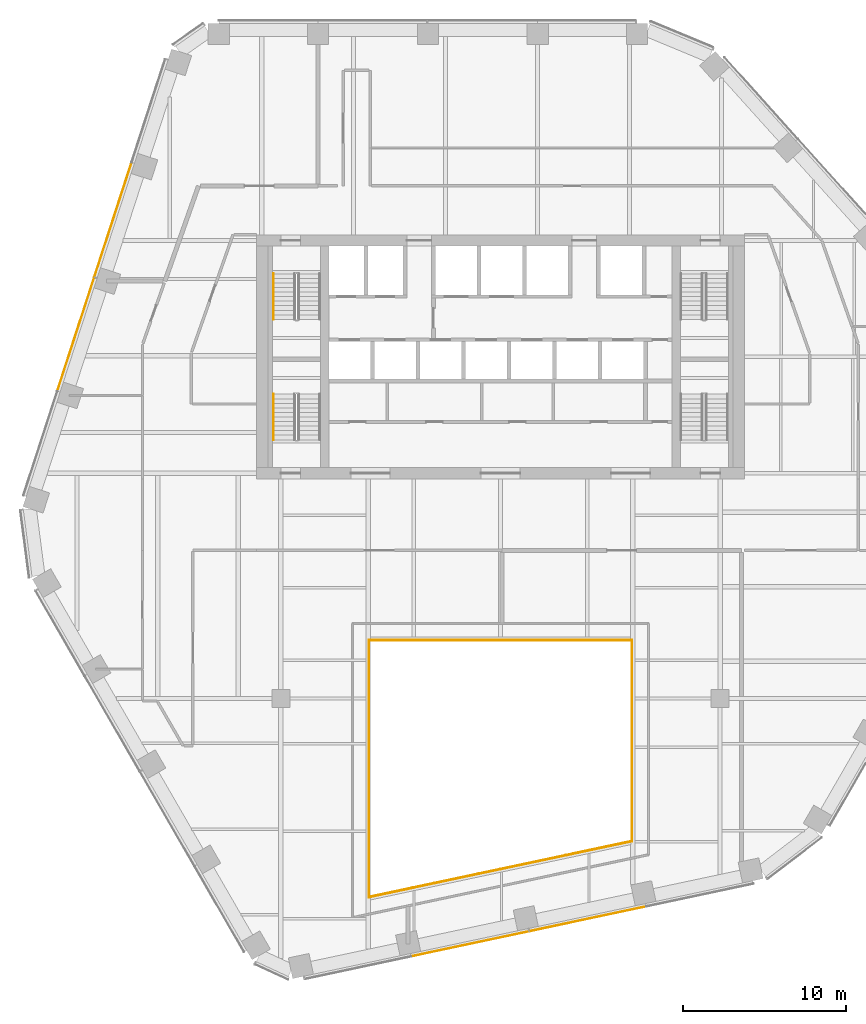
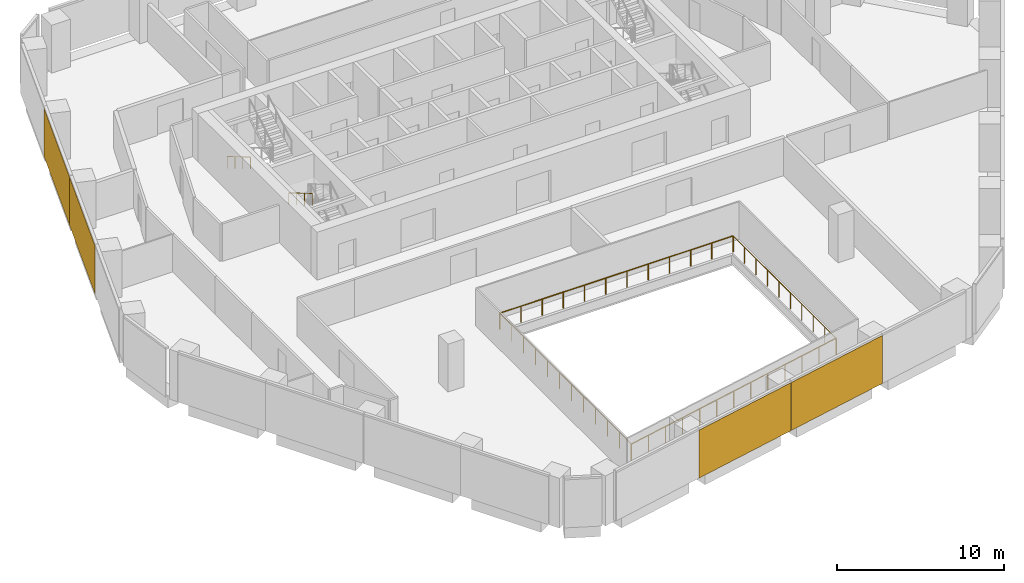
# One storey, part 14 of 16: 6 railings, 4 coverings, 2 elements without a shape of their own.
"""IFC4 building model written with IfcOpenShell, lengths in metres."""

from ifc_helpers import new_model, si_unit, direction, frame, origin, origin_2d, place, context, subcontext, project, spatial, rectangle, circle, extrude, material, layer, layer_set, type_object, element, aggregate, save


model = new_model("IFC4")

# Units and contexts
model_context = context("Model", 3, precision=1e-05, world=origin(), true_north=direction((0.0, 1.0)))
body_context = subcontext(model_context, "Body", "Model", "MODEL_VIEW")
ifc_project = project(units=[si_unit("LENGTHUNIT", "METRE"), si_unit("AREAUNIT", "SQUARE_METRE"), si_unit("VOLUMEUNIT", "CUBIC_METRE"), si_unit("PLANEANGLEUNIT", "RADIAN"), si_unit("MASSUNIT", "GRAM", prefix="KILO")], contexts=[model_context])

# Site, building, storey
site_placement = place(None, origin())
site = spatial("IfcSite", under=ifc_project, at=site_placement, CompositionType="ELEMENT")
building_placement = place(site_placement, origin())
building = spatial("IfcBuilding", under=site, at=building_placement, Name="Isthmus Gate Tower", CompositionType="ELEMENT")
storey_placement = place(building_placement, frame((0.0, 0.0, 185.39990234375)))
storey = spatial("IfcBuildingStorey", under=building, at=storey_placement, Name="L46", CompositionType="ELEMENT", Elevation=185.39990234375)

# Railings
ifc_material_1 = material(Name="Laminated toughened glass balustrade with steel rail", Category="steel")
railing_type_1 = type_object("IfcRailingType", Name="ATRIUM GUARD GLASS BALUSTRADE 1200", PredefinedType="GUARDRAIL", material=ifc_material_1)
railing_1_placement = place(storey_placement, frame((-8.080078125, -25.7099609375, 0.0)))
element("IfcRailing", 1, at=railing_1_placement, inside=storey, type_object=railing_type_1, Name="L46 atrium guard", PredefinedType="GUARDRAIL", context=body_context, shape_type="SweptSolid", body=[
    extrude(circle(Radius=0.02490234375, at=origin_2d()), frame((0.0, 0.0, 1.1748046875), z_axis=(0.0, 1.0, 0.0), x_axis=(-1.0, 0.0, 0.0)), (0.0, 0.0, 1.0), 15.7900390625),
    extrude(circle(Radius=0.02490234375, at=origin_2d()), origin(), (0.0, 0.0, 1.0), 1.14990234375),
    extrude(circle(Radius=0.02490234375, at=origin_2d()), frame((0.0, 1.435546875, 0.0)), (0.0, 0.0, 1.0), 1.14990234375),
    extrude(circle(Radius=0.02490234375, at=origin_2d()), frame((0.0, 2.870849609375, 0.0)), (0.0, 0.0, 1.0), 1.14990234375),
    extrude(circle(Radius=0.02490234375, at=origin_2d()), frame((0.0, 4.306396484375, 0.0)), (0.0, 0.0, 1.0), 1.14990234375),
    extrude(circle(Radius=0.02490234375, at=origin_2d()), frame((0.0, 5.741943359375, 0.0)), (0.0, 0.0, 1.0), 1.14990234375),
    extrude(circle(Radius=0.02490234375, at=origin_2d()), frame((0.0, 7.17724609375, 0.0)), (0.0, 0.0, 1.0), 1.14990234375),
    extrude(circle(Radius=0.02490234375, at=origin_2d()), frame((0.0, 8.61279296875, 0.0)), (0.0, 0.0, 1.0), 1.14990234375),
    extrude(circle(Radius=0.02490234375, at=origin_2d()), frame((0.0, 10.048095703125, 0.0)), (0.0, 0.0, 1.0), 1.14990234375),
    extrude(circle(Radius=0.02490234375, at=origin_2d()), frame((0.0, 11.483642578125, 0.0)), (0.0, 0.0, 1.0), 1.14990234375),
    extrude(circle(Radius=0.02490234375, at=origin_2d()), frame((0.0, 12.919189453125, 0.0)), (0.0, 0.0, 1.0), 1.14990234375),
    extrude(circle(Radius=0.02490234375, at=origin_2d()), frame((0.0, 14.3544921875, 0.0)), (0.0, 0.0, 1.0), 1.14990234375),
    extrude(circle(Radius=0.02490234375, at=origin_2d()), frame((0.0, 15.7900390625, 0.0)), (0.0, 0.0, 1.0), 1.14990234375),
])
railing_2_placement = place(storey_placement, frame((-8.080078125, -9.919921875, 0.0)))
element("IfcRailing", 2, at=railing_2_placement, inside=storey, type_object=railing_type_1, Name="L46 atrium guard", PredefinedType="GUARDRAIL", context=body_context, shape_type="SweptSolid", body=[
    extrude(circle(Radius=0.02490234375, at=origin_2d()), frame((0.0, 0.0, 1.1748046875), z_axis=(1.0, 0.0, 0.0), x_axis=(0.0, 1.0, 0.0)), (0.0, 0.0, 1.0), 16.16015625),
    extrude(circle(Radius=0.02490234375, at=origin_2d()), origin(), (0.0, 0.0, 1.0), 1.14990234375),
    extrude(circle(Radius=0.02490234375, at=origin_2d()), frame((1.468994140625, 0.0, 0.0)), (0.0, 0.0, 1.0), 1.14990234375),
    extrude(circle(Radius=0.02490234375, at=origin_2d()), frame((2.938232421875, 0.0, 0.0)), (0.0, 0.0, 1.0), 1.14990234375),
    extrude(circle(Radius=0.02490234375, at=origin_2d()), frame((4.4072265625, 0.0, 0.0)), (0.0, 0.0, 1.0), 1.14990234375),
    extrude(circle(Radius=0.02490234375, at=origin_2d()), frame((5.87646484375, 0.0, 0.0)), (0.0, 0.0, 1.0), 1.14990234375),
    extrude(circle(Radius=0.02490234375, at=origin_2d()), frame((7.345458984375, 0.0, 0.0)), (0.0, 0.0, 1.0), 1.14990234375),
    extrude(circle(Radius=0.02490234375, at=origin_2d()), frame((8.814697265625, 0.0, 0.0)), (0.0, 0.0, 1.0), 1.14990234375),
    extrude(circle(Radius=0.02490234375, at=origin_2d()), frame((10.28369140625, 0.0, 0.0)), (0.0, 0.0, 1.0), 1.14990234375),
    extrude(circle(Radius=0.02490234375, at=origin_2d()), frame((11.7529296875, 0.0, 0.0)), (0.0, 0.0, 1.0), 1.14990234375),
    extrude(circle(Radius=0.02490234375, at=origin_2d()), frame((13.221923828125, 0.0, 0.0)), (0.0, 0.0, 1.0), 1.14990234375),
    extrude(circle(Radius=0.02490234375, at=origin_2d()), frame((14.691162109375, 0.0, 0.0)), (0.0, 0.0, 1.0), 1.14990234375),
    extrude(circle(Radius=0.02490234375, at=origin_2d()), frame((16.16015625, 0.0, 0.0)), (0.0, 0.0, 1.0), 1.14990234375),
])
railing_3_placement = place(storey_placement, frame((8.080078125, -9.919921875, 0.0)))
element("IfcRailing", 3, at=railing_3_placement, inside=storey, type_object=railing_type_1, Name="L46 atrium guard", PredefinedType="GUARDRAIL", context=body_context, shape_type="SweptSolid", body=[
    extrude(circle(Radius=0.02490234375, at=origin_2d()), frame((0.0, 0.0, 1.1748046875), z_axis=(0.0, -1.0, 0.0), x_axis=(1.0, 0.0, 0.0)), (0.0, 0.0, 1.0), 12.35498046875),
    extrude(circle(Radius=0.02490234375, at=origin_2d()), origin(), (0.0, 0.0, 1.0), 1.14990234375),
    extrude(circle(Radius=0.02490234375, at=origin_2d()), frame((0.0, -1.372802734375, 0.0)), (0.0, 0.0, 1.0), 1.14990234375),
    extrude(circle(Radius=0.02490234375, at=origin_2d()), frame((0.0, -2.74560546875, 0.0)), (0.0, 0.0, 1.0), 1.14990234375),
    extrude(circle(Radius=0.02490234375, at=origin_2d()), frame((0.0, -4.118408203125, 0.0)), (0.0, 0.0, 1.0), 1.14990234375),
    extrude(circle(Radius=0.02490234375, at=origin_2d()), frame((0.0, -5.4912109375, 0.0)), (0.0, 0.0, 1.0), 1.14990234375),
    extrude(circle(Radius=0.02490234375, at=origin_2d()), frame((0.0, -6.86376953125, 0.0)), (0.0, 0.0, 1.0), 1.14990234375),
    extrude(circle(Radius=0.02490234375, at=origin_2d()), frame((0.0, -8.236572265625, 0.0)), (0.0, 0.0, 1.0), 1.14990234375),
    extrude(circle(Radius=0.02490234375, at=origin_2d()), frame((0.0, -9.609375, 0.0)), (0.0, 0.0, 1.0), 1.14990234375),
    extrude(circle(Radius=0.02490234375, at=origin_2d()), frame((0.0, -10.982177734375, 0.0)), (0.0, 0.0, 1.0), 1.14990234375),
    extrude(circle(Radius=0.02490234375, at=origin_2d()), frame((0.0, -12.35498046875, 0.0)), (0.0, 0.0, 1.0), 1.14990234375),
])
railing_4_placement = place(storey_placement, frame((8.080078125, -22.27490234375, 0.0)))
element("IfcRailing", 4, at=railing_4_placement, inside=storey, type_object=railing_type_1, Name="L46 atrium guard", PredefinedType="GUARDRAIL", context=body_context, shape_type="SweptSolid", body=[
    extrude(circle(Radius=0.02490234375, at=origin_2d()), frame((0.0, 0.0, 1.1748046875), z_axis=(-0.978146230105, -0.207918139013, 0.0), x_axis=(0.207918139013, -0.978146230105, 0.0)), (0.0, 0.0, 1.0), 16.521240234375),
    extrude(circle(Radius=0.02490234375, at=origin_2d()), origin(), (0.0, 0.0, 1.0), 1.14990234375),
    extrude(circle(Radius=0.02490234375, at=origin_2d()), frame((-1.3466796875, -0.2861328125, 0.0)), (0.0, 0.0, 1.0), 1.14990234375),
    extrude(circle(Radius=0.02490234375, at=origin_2d()), frame((-2.693359375, -0.572509765625, 0.0)), (0.0, 0.0, 1.0), 1.14990234375),
    extrude(circle(Radius=0.02490234375, at=origin_2d()), frame((-4.0400390625, -0.85888671875, 0.0)), (0.0, 0.0, 1.0), 1.14990234375),
    extrude(circle(Radius=0.02490234375, at=origin_2d()), frame((-5.38671875, -1.14501953125, 0.0)), (0.0, 0.0, 1.0), 1.14990234375),
    extrude(circle(Radius=0.02490234375, at=origin_2d()), frame((-6.7333984375, -1.43115234375, 0.0)), (0.0, 0.0, 1.0), 1.14990234375),
    extrude(circle(Radius=0.02490234375, at=origin_2d()), frame((-8.080078125, -1.717529296875, 0.0)), (0.0, 0.0, 1.0), 1.14990234375),
    extrude(circle(Radius=0.02490234375, at=origin_2d()), frame((-9.4267578125, -2.00390625, 0.0)), (0.0, 0.0, 1.0), 1.14990234375),
    extrude(circle(Radius=0.02490234375, at=origin_2d()), frame((-10.7734375, -2.2900390625, 0.0)), (0.0, 0.0, 1.0), 1.14990234375),
    extrude(circle(Radius=0.02490234375, at=origin_2d()), frame((-12.1201171875, -2.576171875, 0.0)), (0.0, 0.0, 1.0), 1.14990234375),
    extrude(circle(Radius=0.02490234375, at=origin_2d()), frame((-13.466796875, -2.862548828125, 0.0)), (0.0, 0.0, 1.0), 1.14990234375),
    extrude(circle(Radius=0.02490234375, at=origin_2d()), frame((-14.8134765625, -3.14892578125, 0.0)), (0.0, 0.0, 1.0), 1.14990234375),
    extrude(circle(Radius=0.02490234375, at=origin_2d()), frame((-16.16015625, -3.43505859375, 0.0)), (0.0, 0.0, 1.0), 1.14990234375),
])

# Curtain wall, coverings
ifc_material_2 = material(Name="Aluminium, pale champagne anodised", Category="aluminium")
ifc_layer_1 = layer(ifc_material_2, 0.199951171875)
ifc_layer_set_1 = layer_set([ifc_layer_1], Name="CW-1 UNITISED CURTAIN WALL 200 DEEP")
curtain_wall_type = type_object("IfcCurtainWallType", Name="CW-1 UNITISED CURTAIN WALL 200 DEEP", PredefinedType="NOTDEFINED", material=ifc_layer_set_1)
curtain_wall_1_placement = place(storey_placement, origin())
curtain_wall_1 = element("IfcCurtainWall", 5, at=curtain_wall_1_placement, inside=storey, type_object=curtain_wall_type, Name="CW-1 NW L46", PredefinedType="NOTDEFINED")
ifc_material_3 = material(Name="Aluminium composite panel, pale champagne anodised", Category="aluminium")
ifc_layer_2 = layer(ifc_material_3, 0.035888671875)
ifc_layer_set_2 = layer_set([ifc_layer_2], Name="CW-1 PALE METAL PANEL 36")
covering_type = type_object("IfcCoveringType", Name="CW-1 PALE METAL PANEL 36", PredefinedType="CLADDING", material=ifc_layer_set_2)
covering_1_placement = place(storey_placement, frame((-23.813720703125, 15.927490234375, 0.0), z_axis=(0.0, 0.0, 1.0), x_axis=(-0.309016994375, -0.951056516295, 0.0)))
covering_1 = element("IfcCovering", 6, at=covering_1_placement, type_object=covering_type, Name="CW-1 pale metal panel", PredefinedType="CLADDING", context=body_context, shape_type="SweptSolid", body=[
    extrude(rectangle(XDim=7.390869140625, YDim=0.035888671875, at=origin_2d()), origin(), (0.0, 0.0, 1.0), 3.510009765625),
])
covering_2_placement = place(storey_placement, frame((-26.10693359375, 8.8701171875, 0.0), z_axis=(0.0, 0.0, 1.0), x_axis=(-0.309016994375, -0.951056516295, 0.0)))
covering_2 = element("IfcCovering", 7, at=covering_2_placement, type_object=covering_type, Name="CW-1 pale metal panel", PredefinedType="CLADDING", context=body_context, shape_type="SweptSolid", body=[
    extrude(rectangle(XDim=7.330810546875, YDim=0.035888671875, at=origin_2d()), origin(), (0.0, 0.0, 1.0), 3.510009765625),
])
aggregate(curtain_wall_1, [covering_1, covering_2])

curtain_wall_2_placement = place(storey_placement, origin())
curtain_wall_2 = element("IfcCurtainWall", 8, at=curtain_wall_2_placement, inside=storey, type_object=curtain_wall_type, Name="CW-1 S L46", PredefinedType="NOTDEFINED")
covering_3_placement = place(storey_placement, frame((-1.88671875, -28.587158203125, 0.0), z_axis=(0.0, 0.0, 1.0), x_axis=(0.978147600734, 0.207911690818, 0.0)))
covering_3 = element("IfcCovering", 9, at=covering_3_placement, type_object=covering_type, Name="CW-1 pale metal panel", PredefinedType="CLADDING", context=body_context, shape_type="SweptSolid", body=[
    extrude(rectangle(XDim=7.390869140625, YDim=0.035888671875, at=origin_2d()), origin(), (0.0, 0.0, 1.0), 3.510009765625),
])
covering_4_placement = place(storey_placement, frame((5.371826171875, -27.044189453125, 0.0), z_axis=(0.0, 0.0, 1.0), x_axis=(0.978147600734, 0.207911690818, 0.0)))
covering_4 = element("IfcCovering", 10, at=covering_4_placement, type_object=covering_type, Name="CW-1 pale metal panel", PredefinedType="CLADDING", context=body_context, shape_type="SweptSolid", body=[
    extrude(rectangle(XDim=7.330810546875, YDim=0.035888671875, at=origin_2d()), origin(), (0.0, 0.0, 1.0), 3.510009765625),
])
aggregate(curtain_wall_2, [covering_3, covering_4])

# Railings
ifc_material_4 = material(Name="Stainless steel handrail", Category="steel")
railing_type_2 = type_object("IfcRailingType", Name="STAIR HANDRAIL 900", PredefinedType="HANDRAIL", material=ifc_material_4)
for number, where, name in (
    (11, (-13.949951171875, 12.60009765625, 0.166015625), "L46 ST1 stair handrail 1"),
    (12, (-13.949951171875, 5.199951171875, 1.990966796875), "L46 ST7 stair handrail 2"),
):
    element("IfcRailing", number, at=place(storey_placement, frame(where)), inside=storey, type_object=railing_type_2, Name=name, PredefinedType="HANDRAIL", context=body_context, shape_type="SweptSolid", body=[
        extrude(circle(Radius=0.02392578125, at=origin_2d()), frame((0.0, 0.0, 0.8759765625), z_axis=(0.0, -0.860306154799, 0.50977771628), x_axis=(1.0, 0.0, 0.0)), (0.0, 0.0, 1.0), 3.254638671875),
        extrude(circle(Radius=0.02099609375, at=origin_2d()), origin(), (0.0, 0.0, 1.0), 0.851806640625),
        extrude(circle(Radius=0.02099609375, at=origin_2d()), frame((0.0, -0.933349609375, 0.552978515625)), (0.0, 0.0, 1.0), 0.851806640625),
        extrude(circle(Radius=0.02099609375, at=origin_2d()), frame((0.0, -1.86669921875, 1.106201171875)), (0.0, 0.0, 1.0), 0.851806640625),
        extrude(circle(Radius=0.02099609375, at=origin_2d()), frame((0.0, -2.800048828125, 1.6591796875)), (0.0, 0.0, 1.0), 0.851806640625),
    ])

save(model, "model.ifc")
